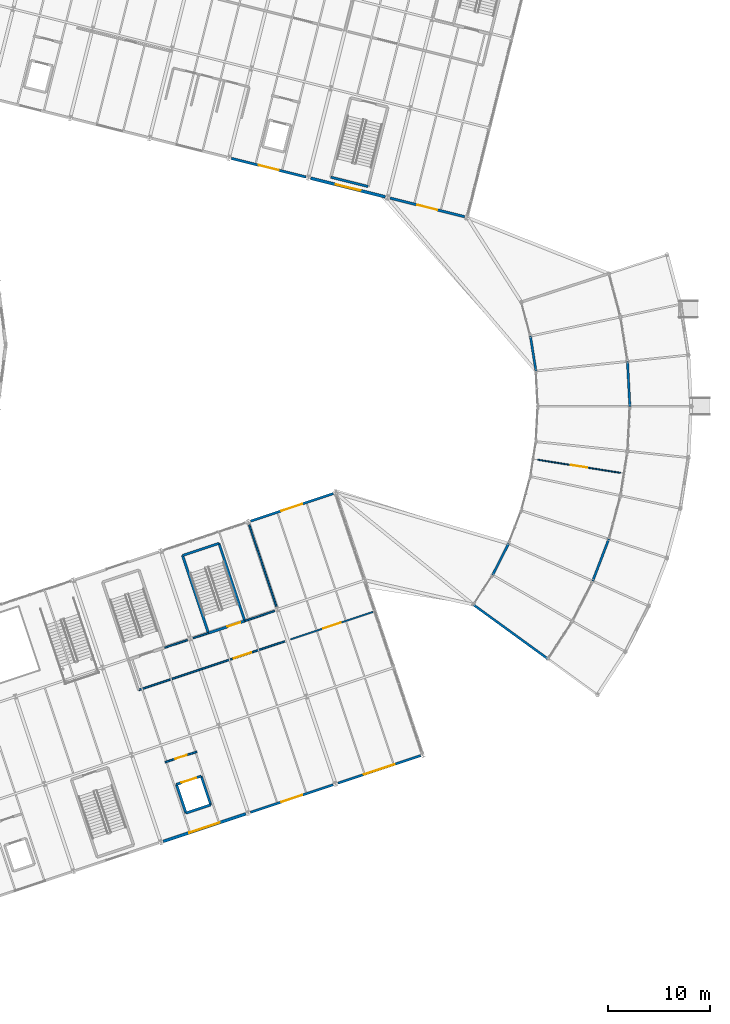
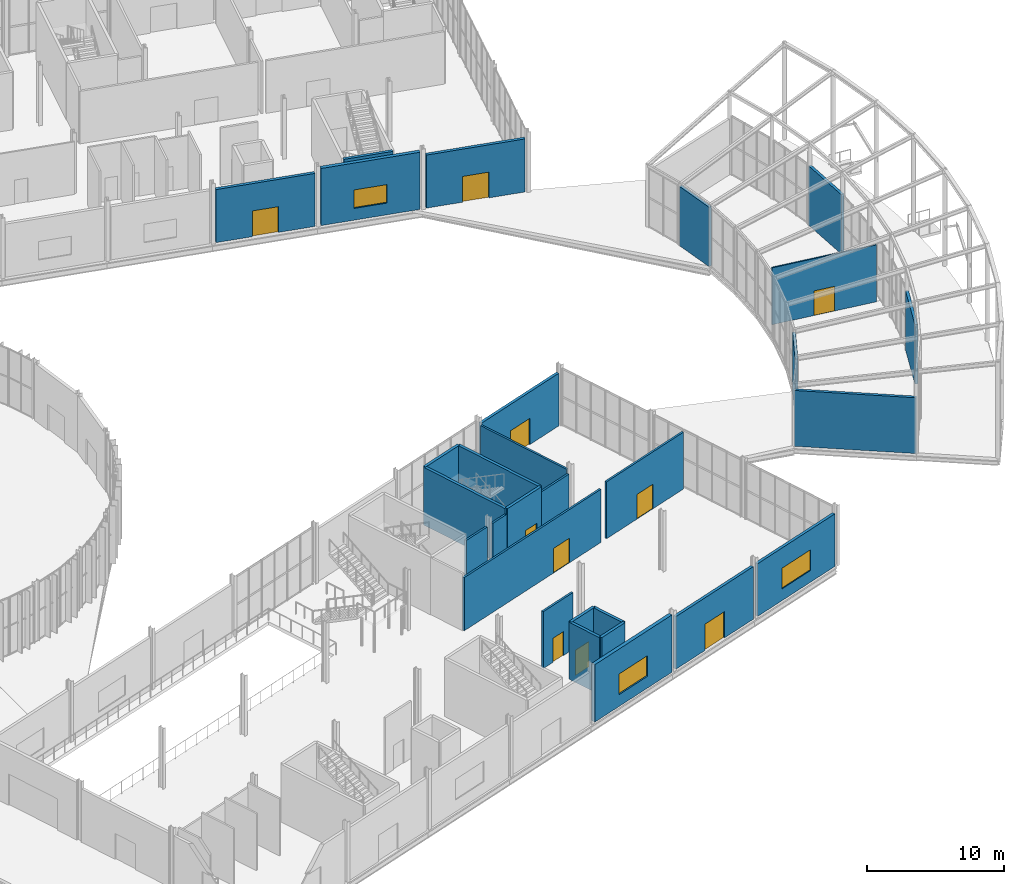
# One storey, part 128 of 158: 29 walls, 10 doors, 3 windows, 13 openings.
"""IFC4 building model written with IfcOpenShell, lengths in metres."""

from ifc_helpers import new_model, si_unit, derived_unit, direction, frame, frame_2d, origin, place, context, subcontext, project, spatial, rectangle, extrude, material, layer, layer_set, type_object, element, fill, save


model = new_model("IFC4")

# Units and contexts
model_context = context("Model", 3, precision=1e-05, world=origin(), true_north=direction((0.0, 1.0)))
body_context = subcontext(model_context, "Body", "Model", "MODEL_VIEW")
ifc_project = project(units=[si_unit("LENGTHUNIT", "METRE"), si_unit("AREAUNIT", "SQUARE_METRE"), si_unit("VOLUMEUNIT", "CUBIC_METRE"), si_unit("PLANEANGLEUNIT", "RADIAN"), si_unit("MASSUNIT", "GRAM", prefix="KILO"), si_unit("THERMODYNAMICTEMPERATUREUNIT", "KELVIN"), si_unit("TIMEUNIT", "SECOND"), derived_unit("THERMALTRANSMITTANCEUNIT", [(si_unit("MASSUNIT", "GRAM", prefix="KILO"), 1), (si_unit("THERMODYNAMICTEMPERATUREUNIT", "KELVIN"), -1), (si_unit("TIMEUNIT", "SECOND"), -3)])], contexts=[model_context])

# Site, building, storey
site_placement = place(None, origin())
site = spatial("IfcSite", under=ifc_project, at=site_placement, CompositionType="ELEMENT")
building_placement = place(site_placement, origin())
building = spatial("IfcBuilding", under=site, at=building_placement, Name="Cambertide Market Hall", CompositionType="ELEMENT")
storey_placement = place(building_placement, origin())
storey = spatial("IfcBuildingStorey", under=building, at=storey_placement, Name="L01", CompositionType="ELEMENT", Elevation=0.0)

# Wall, opening, door
ifc_material_1 = material(Name="Autoclaved Aerated Concrete Blockwork M7.5", Category="masonry")
ifc_layer_1 = layer(ifc_material_1, 0.235107421875, Name="Food Court Acoustic Facade Wall 235")
ifc_layer_set_1 = layer_set([ifc_layer_1], Name="Autoclaved Aerated Concrete Blockwork M7.5")
wall_type_1 = type_object("IfcWallType", Name="Food Court Acoustic Facade Wall 235", PredefinedType="SOLIDWALL", material=ifc_layer_set_1)
wall_1_placement = place(storey_placement, frame((157.001220703125, 29.00048828125, 0.0), z_axis=(0.0, 0.0, 1.0), x_axis=(-0.948680432514, -0.316236362498, 0.0)))
wall_1 = element("IfcWall", 1, at=wall_1_placement, inside=storey, type_object=wall_type_1, Name="Level 1 Exterior Wall EW-L01-V3S-6", PredefinedType="SOLIDWALL", context=body_context, shape_type="SweptSolid", body=[
    extrude(rectangle(XDim=8.52001953125, YDim=0.235107421875, at=frame_2d((4.260009765625, 0.0))), origin(), (0.0, 0.0, 1.0), 4.699951171875),
])
opening_1_placement = place(wall_1_placement, frame((3.18505859375, 0.0, 0.0)))
opening_1 = element("IfcOpeningElement", 2, at=opening_1_placement, cuts=wall_1, Name="Opening ED-05", PredefinedType="OPENING", context=body_context, shape_type="SweptSolid", body=[
    extrude(rectangle(XDim=2.14990234375, YDim=2.35009765625, at=frame_2d((1.074951171875, 1.175048828125))), frame((0.0, 0.12744140625, 0.0), z_axis=(0.0, -1.0, 0.0), x_axis=(1.0, 0.0, 0.0)), (0.0, 0.0, 1.0), 0.255126953125),
])
ifc_material_2 = material(Name="Champagne Marine Anodized Aluminium 6063-T6 AA25", Category="aluminium")
door_type_1 = type_object("IfcDoorType", Name="Hawker Promenade Double Exit Door 2150x2350", OperationType="DOUBLE_DOOR_SINGLE_SWING", PredefinedType="DOOR", material=ifc_material_2)
door_1_placement = place(opening_1_placement, origin())
door_1 = element("IfcDoor", 3, at=door_1_placement, inside=storey, type_object=door_type_1, Name="Level 1 Exterior Door EW-L01-V3S-6-DR", OperationType="DOUBLE_DOOR_SINGLE_SWING", OverallHeight=2.35009765625, OverallWidth=2.14990234375, PredefinedType="DOOR", context=body_context, shape_type="SweptSolid", body=[
    extrude(rectangle(XDim=2.14990234375, YDim=2.35009765625, at=frame_2d((1.074951171875, 1.175048828125))), frame((0.0, 0.02490234375, 0.0), z_axis=(0.0, -1.0, 0.0), x_axis=(1.0, 0.0, 0.0)), (0.0, 0.0, 1.0), 0.050048828125),
])
fill(opening_1, door_1)

wall_2_placement = place(storey_placement, frame((148.91845703125, 54.7666015625, 0.0), z_axis=(0.0, 0.0, 1.0), x_axis=(0.948680432514, 0.316236362498, 0.0)))
wall_2 = element("IfcWall", 4, at=wall_2_placement, inside=storey, type_object=wall_type_1, Name="Level 1 Exterior Wall EW-L01-V3N-7", PredefinedType="SOLIDWALL", context=body_context, shape_type="SweptSolid", body=[
    extrude(rectangle(XDim=8.52001953125, YDim=0.235107421875, at=frame_2d((4.260009765625, 0.0))), origin(), (0.0, 0.0, 1.0), 4.699951171875),
])
opening_2_placement = place(wall_2_placement, frame((3.18505859375, 0.0, 0.0)))
opening_2 = element("IfcOpeningElement", 5, at=opening_2_placement, cuts=wall_2, Name="Opening ED-05", PredefinedType="OPENING", context=body_context, shape_type="SweptSolid", body=[
    extrude(rectangle(XDim=2.14990234375, YDim=2.35009765625, at=frame_2d((1.074951171875, 1.175048828125))), frame((0.0, 0.12744140625, 0.0), z_axis=(0.0, -1.0, 0.0), x_axis=(1.0, 0.0, 0.0)), (0.0, 0.0, 1.0), 0.255126953125),
])
door_2_placement = place(opening_2_placement, origin())
door_2 = element("IfcDoor", 6, at=door_2_placement, inside=storey, type_object=door_type_1, Name="Level 1 Exterior Door EW-L01-V3N-7-DR", OperationType="DOUBLE_DOOR_SINGLE_SWING", OverallHeight=2.35009765625, OverallWidth=2.14990234375, PredefinedType="DOOR", context=body_context, shape_type="SweptSolid", body=[
    extrude(rectangle(XDim=2.14990234375, YDim=2.35009765625, at=frame_2d((1.074951171875, 1.175048828125))), frame((0.0, 0.02490234375, 0.0), z_axis=(0.0, -1.0, 0.0), x_axis=(1.0, 0.0, 0.0)), (0.0, 0.0, 1.0), 0.050048828125),
])
fill(opening_2, door_2)

# Wall, opening, window
wall_3_placement = place(storey_placement, frame((165.539306640625, 31.846435546875, 0.0), z_axis=(0.0, 0.0, 1.0), x_axis=(-0.948680432514, -0.316236362498, 0.0)))
wall_3 = element("IfcWall", 7, at=wall_3_placement, inside=storey, type_object=wall_type_1, Name="Level 1 Exterior Wall EW-L01-V3S-7", PredefinedType="SOLIDWALL", context=body_context, shape_type="SweptSolid", body=[
    extrude(rectangle(XDim=8.52001953125, YDim=0.235107421875, at=frame_2d((4.260009765625, 0.0))), origin(), (0.0, 0.0, 1.0), 4.699951171875),
])
opening_3_placement = place(wall_3_placement, frame((2.68505859375, 0.0, 1.050048828125)))
opening_3 = element("IfcOpeningElement", 8, at=opening_3_placement, cuts=wall_3, Name="Opening WN-04B", PredefinedType="OPENING", context=body_context, shape_type="SweptSolid", body=[
    extrude(rectangle(XDim=3.14990234375, YDim=1.85009765625, at=frame_2d((1.574951171875, 0.925048828125))), frame((0.0, 0.12744140625, 0.0), z_axis=(0.0, -1.0, 0.0), x_axis=(1.0, 0.0, 0.0)), (0.0, 0.0, 1.0), 0.255126953125),
])
ifc_material_3 = material(Name="Low-E Laminated Insulated Glass", Category="glass")
window_type_1 = type_object("IfcWindowType", Name="Riverfront Gallery Window 3150x1850", PartitioningType="SINGLE_PANEL", PredefinedType="WINDOW", material=ifc_material_3)
window_1_placement = place(opening_3_placement, origin())
window_1 = element("IfcWindow", 9, at=window_1_placement, inside=storey, type_object=window_type_1, Name="Level 1 Window EW-L01-V3S-7-WN", OverallHeight=1.85009765625, OverallWidth=3.14990234375, PartitioningType="SINGLE_PANEL", PredefinedType="WINDOW", context=body_context, shape_type="SweptSolid", body=[
    extrude(rectangle(XDim=3.14990234375, YDim=1.85009765625, at=frame_2d((1.574951171875, 0.925048828125))), frame((0.0, 0.030029296875, 0.0), z_axis=(0.0, -1.0, 0.0), x_axis=(1.0, 0.0, 0.0)), (0.0, 0.0, 1.0), 0.06005859375),
])
fill(opening_3, window_1)

# Wall, opening, door
ifc_material_4 = material(Name="Autoclaved Aerated Concrete Blockwork M7.5", Category="masonry")
ifc_layer_2 = layer(ifc_material_4, 0.114990234375, Name="Gallery Display Partition 115")
ifc_layer_set_2 = layer_set([ifc_layer_2], Name="Autoclaved Aerated Concrete Blockwork M7.5")
wall_type_2 = type_object("IfcWallType", Name="Gallery Display Partition 115", PredefinedType="PARTITIONING", material=ifc_layer_set_2)
wall_4_placement = place(storey_placement, frame((176.98876953125, 60.775146484375, 0.0), z_axis=(0.0, 0.0, 1.0), x_axis=(0.987689469561, -0.156427336862, 0.0)))
wall_4 = element("IfcWall", 10, at=wall_4_placement, inside=storey, type_object=wall_type_2, Name="Level 1 Interior Wall IW-L01-V5DIV", PredefinedType="PARTITIONING", context=body_context, shape_type="SweptSolid", body=[
    extrude(rectangle(XDim=8.199951171875, YDim=0.114990234375, at=frame_2d((4.10009765625, 0.0))), origin(), (0.0, 0.0, 1.0), 5.080078125),
])
opening_4_placement = place(wall_4_placement, frame((3.300048828125, 0.0, 0.0)))
opening_4 = element("IfcOpeningElement", 11, at=opening_4_placement, cuts=wall_4, Name="Opening ID-01", PredefinedType="OPENING", context=body_context, shape_type="SweptSolid", body=[
    extrude(rectangle(XDim=1.60009765625, YDim=2.199951171875, at=frame_2d((0.800048828125, 1.10009765625))), frame((0.0, 0.0673828125, 0.0), z_axis=(0.0, -1.0, 0.0), x_axis=(1.0, 0.0, 0.0)), (0.0, 0.0, 1.0), 0.135009765625),
])
ifc_material_5 = material(Name="Champagne Marine Anodized Aluminium 6063-T6 AA25", Category="aluminium")
door_type_2 = type_object("IfcDoorType", Name="Classroom & Hall Double Door 1600x2200", OperationType="DOUBLE_DOOR_SINGLE_SWING", PredefinedType="DOOR", material=ifc_material_5)
door_3_placement = place(opening_4_placement, origin())
door_3 = element("IfcDoor", 12, at=door_3_placement, inside=storey, type_object=door_type_2, Name="Level 1 Door IW-L01-V5DIV-DR1", OperationType="DOUBLE_DOOR_SINGLE_SWING", OverallHeight=2.199951171875, OverallWidth=1.60009765625, PredefinedType="DOOR", context=body_context, shape_type="SweptSolid", body=[
    extrude(rectangle(XDim=1.60009765625, YDim=2.199951171875, at=frame_2d((0.800048828125, 1.10009765625))), frame((0.0, 0.02490234375, 0.0), z_axis=(0.0, -1.0, 0.0), x_axis=(1.0, 0.0, 0.0)), (0.0, 0.0, 1.0), 0.050048828125),
])
fill(opening_4, door_3)

ifc_material_6 = material(Name="Autoclaved Aerated Concrete Blockwork M7.5", Category="masonry")
ifc_layer_3 = layer(ifc_material_6, 0.25, Name="Insulated AAC Exterior Infill Wall 250")
ifc_layer_set_3 = layer_set([ifc_layer_3], Name="Autoclaved Aerated Concrete Blockwork M7.5")
wall_type_3 = type_object("IfcWallType", Name="Insulated AAC Exterior Infill Wall 250", PredefinedType="SOLIDWALL", material=ifc_layer_set_3)
wall_5_placement = place(storey_placement, frame((154.333984375, 88.41650390625, 0.0), z_axis=(0.0, 0.0, 1.0), x_axis=(-0.970138680536, 0.242550902961, 0.0)))
wall_5 = element("IfcWall", 13, at=wall_5_placement, inside=storey, type_object=wall_type_3, Name="Level 1 Exterior Wall EW-L01-V4S-6", PredefinedType="SOLIDWALL", context=body_context, shape_type="SweptSolid", body=[
    extrude(rectangle(XDim=7.52001953125, YDim=0.25, at=frame_2d((3.760009765625, 0.0))), origin(), (0.0, 0.0, 1.0), 4.735107421875),
])
opening_5_placement = place(wall_5_placement, frame((2.760009765625, 0.0, 0.0)))
opening_5 = element("IfcOpeningElement", 14, at=opening_5_placement, cuts=wall_5, Name="Opening ED-01", PredefinedType="OPENING", context=body_context, shape_type="SweptSolid", body=[
    extrude(rectangle(XDim=2.0, YDim=2.300048828125, at=frame_2d((1.0, 1.14990234375))), frame((0.0, 0.135009765625, 0.0), z_axis=(0.0, -1.0, 0.0), x_axis=(1.0, 0.0, 0.0)), (0.0, 0.0, 1.0), 0.27001953125),
])
ifc_material_7 = material(Name="Champagne Marine Anodized Aluminium 6063-T6 AA25", Category="aluminium")
door_type_3 = type_object("IfcDoorType", Name="Final Exit Double Door 2000x2300", OperationType="DOUBLE_DOOR_SINGLE_SWING", PredefinedType="DOOR", material=ifc_material_7)
door_4_placement = place(opening_5_placement, origin())
door_4 = element("IfcDoor", 15, at=door_4_placement, inside=storey, type_object=door_type_3, Name="Level 1 Exterior Door EW-L01-V4S-6-DR", OperationType="DOUBLE_DOOR_SINGLE_SWING", OverallHeight=2.300048828125, OverallWidth=2.0, PredefinedType="DOOR", context=body_context, shape_type="SweptSolid", body=[
    extrude(rectangle(XDim=2.0, YDim=2.300048828125, at=frame_2d((1.0, 1.14990234375))), frame((0.0, 0.02490234375, 0.0), z_axis=(0.0, -1.0, 0.0), x_axis=(1.0, 0.0, 0.0)), (0.0, 0.0, 1.0), 0.050048828125),
])
fill(opening_5, door_4)

wall_6_placement = place(storey_placement, frame((169.856201171875, 84.535888671875, 0.0), z_axis=(0.0, 0.0, 1.0), x_axis=(-0.970138680536, 0.242550902961, 0.0)))
wall_6 = element("IfcWall", 16, at=wall_6_placement, inside=storey, type_object=wall_type_3, Name="Level 1 Exterior Wall EW-L01-V4S-8", PredefinedType="SOLIDWALL", context=body_context, shape_type="SweptSolid", body=[
    extrude(rectangle(XDim=7.52001953125, YDim=0.25, at=frame_2d((3.760009765625, 0.0))), origin(), (0.0, 0.0, 1.0), 4.735107421875),
])
opening_6_placement = place(wall_6_placement, frame((2.760009765625, 0.0, 0.0)))
opening_6 = element("IfcOpeningElement", 17, at=opening_6_placement, cuts=wall_6, Name="Opening ED-01", PredefinedType="OPENING", context=body_context, shape_type="SweptSolid", body=[
    extrude(rectangle(XDim=2.0, YDim=2.300048828125, at=frame_2d((1.0, 1.14990234375))), frame((0.0, 0.135009765625, 0.0), z_axis=(0.0, -1.0, 0.0), x_axis=(1.0, 0.0, 0.0)), (0.0, 0.0, 1.0), 0.27001953125),
])
door_5_placement = place(opening_6_placement, origin())
door_5 = element("IfcDoor", 18, at=door_5_placement, inside=storey, type_object=door_type_3, Name="Level 1 Exterior Door EW-L01-V4S-8-DR", OperationType="DOUBLE_DOOR_SINGLE_SWING", OverallHeight=2.300048828125, OverallWidth=2.0, PredefinedType="DOOR", context=body_context, shape_type="SweptSolid", body=[
    extrude(rectangle(XDim=2.0, YDim=2.300048828125, at=frame_2d((1.0, 1.14990234375))), frame((0.0, 0.02490234375, 0.0), z_axis=(0.0, -1.0, 0.0), x_axis=(1.0, 0.0, 0.0)), (0.0, 0.0, 1.0), 0.050048828125),
])
fill(opening_6, door_5)

ifc_material_8 = material(Name="Autoclaved Aerated Concrete Blockwork M7.5", Category="masonry")
ifc_layer_4 = layer(ifc_material_8, 0.169921875, Name="Lift Lobby Fire Partition 170")
ifc_layer_set_4 = layer_set([ifc_layer_4], Name="Autoclaved Aerated Concrete Blockwork M7.5")
wall_type_4 = type_object("IfcWallType", Name="Lift Lobby Fire Partition 170", PredefinedType="PARTITIONING", material=ifc_layer_set_4)
wall_7_placement = place(storey_placement, frame((140.5732421875, 31.1982421875, 0.0), z_axis=(0.0, 0.0, 1.0), x_axis=(0.948698274856, 0.316182832053, 0.0)))
wall_7 = element("IfcWall", 19, at=wall_7_placement, inside=storey, type_object=wall_type_4, Name="Level 1 Interior Wall LLW-LG-02-L01", PredefinedType="PARTITIONING", context=body_context, shape_type="SweptSolid", body=[
    extrude(rectangle(XDim=3.260009765625, YDim=0.169921875, at=frame_2d((1.6298828125, 0.0))), origin(), (0.0, 0.0, 1.0), 5.080078125),
])
opening_7_placement = place(wall_7_placement, frame((1.054931640625, 0.0, 0.0)))
opening_7 = element("IfcOpeningElement", 20, at=opening_7_placement, cuts=wall_7, Name="Opening KD-02", PredefinedType="OPENING", context=body_context, shape_type="SweptSolid", body=[
    extrude(rectangle(XDim=1.14990234375, YDim=2.14990234375, at=frame_2d((0.574951171875, 1.074951171875))), frame((0.0, 0.094970703125, 0.0), z_axis=(0.0, -1.0, 0.0), x_axis=(1.0, 0.0, 0.0)), (0.0, 0.0, 1.0), 0.18994140625),
])
ifc_material_9 = material(Name="Stainless Steel Grade 316", Category="metal")
door_type_4 = type_object("IfcDoorType", Name="Lift Lobby Smoke-Stop Door 1150x2150", OperationType="NOTDEFINED", PredefinedType="DOOR", material=ifc_material_9)
door_6_placement = place(opening_7_placement, origin())
door_6 = element("IfcDoor", 21, at=door_6_placement, inside=storey, type_object=door_type_4, Name="Level 1 Door LLW-LG-02-L01-DR1", OperationType="SINGLE_SWING_LEFT", OverallHeight=2.14990234375, OverallWidth=1.14990234375, PredefinedType="DOOR", context=body_context, shape_type="SweptSolid", body=[
    extrude(rectangle(XDim=1.14990234375, YDim=2.14990234375, at=frame_2d((0.574951171875, 1.074951171875))), frame((0.0, 0.02490234375, 0.0), z_axis=(0.0, -1.0, 0.0), x_axis=(1.0, 0.0, 0.0)), (0.0, 0.0, 1.0), 0.050048828125),
])
fill(opening_7, door_6)

# Walls
ifc_material_10 = material(Name="Autoclaved Aerated Concrete Blockwork M7.5", Category="masonry")
ifc_layer_5 = layer(ifc_material_10, 0.22509765625, Name="Promenade Pavilion Masonry Wall 225")
ifc_layer_set_5 = layer_set([ifc_layer_5], Name="Autoclaved Aerated Concrete Blockwork M7.5")
wall_type_5 = type_object("IfcWallType", Name="Promenade Pavilion Masonry Wall 225", PredefinedType="SOLIDWALL", material=ifc_layer_set_5)
wall_8_placement = place(storey_placement, frame((172.578857421875, 49.5, 0.0), z_axis=(0.0, 0.0, 1.0), x_axis=(0.453986133197, 0.891008749039, 0.0)))
element("IfcWall", 22, at=wall_8_placement, inside=storey, type_object=wall_type_5, Name="Level 1 Exterior Wall EW-L01-V5I-2", PredefinedType="SOLIDWALL", context=body_context, shape_type="SweptSolid", body=[
    extrude(rectangle(XDim=3.4541015625, YDim=0.22509765625, at=frame_2d((1.72705078125, 0.0))), origin(), (0.0, 0.0, 1.0), 5.300048828125),
])
for number, where, z_axis, x_axis, name in (
    (23, (183.9443359375, 53.021240234375, 0.0), (0.0, 0.0, 1.0), (-0.358361255886, -0.933582995925, 0.0), "Level 1 Exterior Wall EW-L01-V5M-3"),
    (24, (185.77001953125, 70.39013671875, 0.0), (0.0, 0.0, 1.0), (0.052313986548, -0.998630685895, 0.0), "Level 1 Exterior Wall EW-L01-V5M-7"),
):
    element("IfcWall", number, at=place(storey_placement, frame(where, z_axis=z_axis, x_axis=x_axis)), inside=storey, type_object=wall_type_5, Name=name, PredefinedType="SOLIDWALL", context=body_context, shape_type="SweptSolid", body=[
        extrude(rectangle(XDim=4.396240234375, YDim=0.22509765625, at=frame_2d((2.1982421875, 0.0))), origin(), (0.0, 0.0, 1.0), 5.300048828125),
    ])
wall_9_placement = place(storey_placement, frame((176.8193359375, 69.449462890625, 0.0), z_axis=(0.0, 0.0, 1.0), x_axis=(-0.156485200519, 0.987680303549, 0.0)))
element("IfcWall", 25, at=wall_9_placement, inside=storey, type_object=wall_type_5, Name="Level 1 Exterior Wall EW-L01-V5I-8", PredefinedType="SOLIDWALL", context=body_context, shape_type="SweptSolid", body=[
    extrude(rectangle(XDim=3.4541015625, YDim=0.22509765625, at=frame_2d((1.72705078125, 0.0))), origin(), (0.0, 0.0, 1.0), 5.300048828125),
])
wall_10_placement = place(storey_placement, frame((177.978759765625, 41.31298828125, 0.0), z_axis=(0.0, 0.0, 1.0), x_axis=(-0.809022210299, 0.587778073121, 0.0)))
element("IfcWall", 26, at=wall_10_placement, inside=storey, type_object=wall_type_5, Name="Level 1 Exterior Wall EW-L01-V5END-S", PredefinedType="SOLIDWALL", context=body_context, shape_type="SweptSolid", body=[
    extrude(rectangle(XDim=9.0, YDim=0.22509765625, at=frame_2d((4.5, 0.0))), origin(), (0.0, 0.0, 1.0), 4.97998046875),
])

# Wall, opening, door
ifc_material_11 = material(Name="Autoclaved Aerated Concrete Blockwork M7.5", Category="masonry")
ifc_layer_6 = layer(ifc_material_11, 0.1650390625, Name="Protected Exit Passageway Fire Wall 165")
ifc_layer_set_6 = layer_set([ifc_layer_6], Name="Autoclaved Aerated Concrete Blockwork M7.5")
wall_type_6 = type_object("IfcWallType", Name="Protected Exit Passageway Fire Wall 165", PredefinedType="PARTITIONING", material=ifc_layer_set_6)
wall_11_placement = place(storey_placement, frame((137.962646484375, 38.2548828125, 0.0), z_axis=(0.0, 0.0, 1.0), x_axis=(0.948684917535, 0.316222907523, 0.0)))
wall_11 = element("IfcWall", 27, at=wall_11_placement, inside=storey, type_object=wall_type_6, Name="Level 1 Interior Wall EXW-ST05B-S1", PredefinedType="PARTITIONING", context=body_context, shape_type="SweptSolid", body=[
    extrude(rectangle(XDim=15.0751953125, YDim=0.1650390625, at=frame_2d((7.53759765625, 0.0))), origin(), (0.0, 0.0, 1.0), 4.75),
])
opening_8_placement = place(wall_11_placement, frame((9.823486328125, 0.0, 0.0)))
opening_8 = element("IfcOpeningElement", 28, at=opening_8_placement, cuts=wall_11, Name="Opening FD-02", PredefinedType="OPENING", context=body_context, shape_type="SweptSolid", body=[
    extrude(rectangle(XDim=1.800048828125, YDim=2.199951171875, at=frame_2d((0.89990234375, 1.10009765625))), frame((0.0, 0.092529296875, 0.0), z_axis=(0.0, -1.0, 0.0), x_axis=(1.0, 0.0, 0.0)), (0.0, 0.0, 1.0), 0.18505859375),
])
ifc_material_12 = material(Name="Powder-Coated Galvanized Sheet Metal", Category="metal")
door_type_5 = type_object("IfcDoorType", Name="Compartment Double Fire Door 1800x2200", OperationType="DOUBLE_DOOR_SINGLE_SWING", PredefinedType="DOOR", material=ifc_material_12)
door_7_placement = place(opening_8_placement, origin())
door_7 = element("IfcDoor", 29, at=door_7_placement, inside=storey, type_object=door_type_5, Name="Level 1 Door EXW-ST05B-S1-DR1", OperationType="DOUBLE_DOOR_SINGLE_SWING", OverallHeight=2.199951171875, OverallWidth=1.800048828125, PredefinedType="DOOR", context=body_context, shape_type="SweptSolid", body=[
    extrude(rectangle(XDim=1.800048828125, YDim=2.199951171875, at=frame_2d((0.89990234375, 1.10009765625))), frame((0.0, 0.02490234375, 0.0), z_axis=(0.0, -1.0, 0.0), x_axis=(1.0, 0.0, 0.0)), (0.0, 0.0, 1.0), 0.050048828125),
])
fill(opening_8, door_7)

wall_12_placement = place(storey_placement, frame((152.833251953125, 43.211669921875, 0.0), z_axis=(0.0, 0.0, 1.0), x_axis=(0.948683298051, 0.316227766017, 0.0)))
wall_12 = element("IfcWall", 30, at=wall_12_placement, inside=storey, type_object=wall_type_6, Name="Level 1 Interior Wall EXW-ST05B-S2", PredefinedType="PARTITIONING", context=body_context, shape_type="SweptSolid", body=[
    extrude(rectangle(XDim=8.500244140625, YDim=0.1650390625, at=frame_2d((4.25, 0.0))), origin(), (0.0, 0.0, 1.0), 5.080078125),
])
opening_9_placement = place(wall_12_placement, frame((3.35009765625, 0.0, 0.0)))
opening_9 = element("IfcOpeningElement", 31, at=opening_9_placement, cuts=wall_12, Name="Opening FD-02", PredefinedType="OPENING", context=body_context, shape_type="SweptSolid", body=[
    extrude(rectangle(XDim=1.800048828125, YDim=2.199951171875, at=frame_2d((0.89990234375, 1.10009765625))), frame((0.0, 0.092529296875, 0.0), z_axis=(0.0, -1.0, 0.0), x_axis=(1.0, 0.0, 0.0)), (0.0, 0.0, 1.0), 0.18505859375),
])
door_8_placement = place(opening_9_placement, origin())
door_8 = element("IfcDoor", 32, at=door_8_placement, inside=storey, type_object=door_type_5, Name="Level 1 Door EXW-ST05B-S2-DR1", OperationType="DOUBLE_DOOR_SINGLE_SWING", OverallHeight=2.199951171875, OverallWidth=1.800048828125, PredefinedType="DOOR", context=body_context, shape_type="SweptSolid", body=[
    extrude(rectangle(XDim=1.800048828125, YDim=2.199951171875, at=frame_2d((0.89990234375, 1.10009765625))), frame((0.0, 0.02490234375, 0.0), z_axis=(0.0, -1.0, 0.0), x_axis=(1.0, 0.0, 0.0)), (0.0, 0.0, 1.0), 0.050048828125),
])
fill(opening_9, door_8)

# Walls
wall_13_placement = place(storey_placement, frame((140.531982421875, 42.4052734375, 0.0), z_axis=(0.0, 0.0, 1.0), x_axis=(0.948672797552, 0.316259265769, 0.0)))
element("IfcWall", 33, at=wall_13_placement, inside=storey, type_object=wall_type_6, Name="Level 1 Interior Wall EXW-ST05B-N1", PredefinedType="PARTITIONING", context=body_context, shape_type="SweptSolid", body=[
    extrude(rectangle(XDim=2.3251953125, YDim=0.1650390625, at=frame_2d((1.16259765625, 0.0))), origin(), (0.0, 0.0, 1.0), 4.64990234375),
])
wall_14_placement = place(storey_placement, frame((143.306884765625, 43.330322265625, 0.0), z_axis=(0.0, 0.0, 1.0), x_axis=(0.948683298051, 0.316227766017, 0.0)))
element("IfcWall", 34, at=wall_14_placement, inside=storey, type_object=wall_type_6, Name="Level 1 Interior Wall EXW-ST05B-N2", PredefinedType="PARTITIONING", context=body_context, shape_type="SweptSolid", body=[
    extrude(rectangle(XDim=1.574951171875, YDim=0.1650390625, at=frame_2d((0.78759765625, 0.0))), origin(), (0.0, 0.0, 1.0), 4.64990234375),
])
wall_15_placement = place(storey_placement, frame((148.358642578125, 45.01416015625, 0.0), z_axis=(0.0, 0.0, 1.0), x_axis=(0.948683298051, 0.316227766017, 0.0)))
element("IfcWall", 35, at=wall_15_placement, inside=storey, type_object=wall_type_6, Name="Level 1 Interior Wall EXW-ST05B-N3", PredefinedType="PARTITIONING", context=body_context, shape_type="SweptSolid", body=[
    extrude(rectangle(XDim=3.074951171875, YDim=0.1650390625, at=frame_2d((1.53759765625, 0.0))), origin(), (0.0, 0.0, 1.0), 4.64990234375),
])
wall_16_placement = place(storey_placement, frame((151.44189453125, 46.437255859375, 0.0), z_axis=(0.0, 0.0, 1.0), x_axis=(-0.316219046728, 0.948686204436, 0.0)))
element("IfcWall", 36, at=wall_16_placement, inside=storey, type_object=wall_type_6, Name="Level 1 Interior Wall EXW-ST05B-VW", PredefinedType="PARTITIONING", context=body_context, shape_type="SweptSolid", body=[
    extrude(rectangle(XDim=8.400146484375, YDim=0.1650390625, at=frame_2d((4.2001953125, 0.0))), origin(), (0.0, 0.0, 1.0), 4.75),
])

# Wall, opening, door
ifc_material_13 = material(Name="Concrete B35", Category="concrete")
ifc_layer_7 = layer(ifc_material_13, 0.239990234375, Name="Stair & Lift Core Shaft Wall 240")
ifc_layer_set_7 = layer_set([ifc_layer_7], Name="Concrete B35")
wall_type_7 = type_object("IfcWallType", Name="Stair & Lift Core Shaft Wall 240", PredefinedType="SOLIDWALL", material=ifc_layer_set_7)
wall_17_placement = place(storey_placement, frame((148.358642578125, 45.01416015625, 0.0), z_axis=(0.0, 0.0, 1.0), x_axis=(-0.94868980821, -0.316208234867, 0.0)))
wall_17 = element("IfcWall", 37, at=wall_17_placement, inside=storey, type_object=wall_type_7, Name="Level 1 Interior Wall SHW-ST-05B-L01-NEAR", PredefinedType="SOLIDWALL", context=body_context, shape_type="SweptSolid", body=[
    extrude(rectangle(XDim=3.75, YDim=0.239990234375, at=frame_2d((1.875, 0.0))), origin(), (0.0, 0.0, 1.0), 5.14990234375),
])
opening_10_placement = place(wall_17_placement, frame((0.489990234375, 0.0, 0.0)))
opening_10 = element("IfcOpeningElement", 38, at=opening_10_placement, cuts=wall_17, Name="Opening FD-01", PredefinedType="OPENING", context=body_context, shape_type="SweptSolid", body=[
    extrude(rectangle(XDim=1.300048828125, YDim=2.14990234375, at=frame_2d((0.64990234375, 1.074951171875))), frame((0.0, 0.1298828125, 0.0), z_axis=(0.0, -1.0, 0.0), x_axis=(1.0, 0.0, 0.0)), (0.0, 0.0, 1.0), 0.260009765625),
])
ifc_material_14 = material(Name="Powder-Coated Galvanized Sheet Metal", Category="metal")
door_type_6 = type_object("IfcDoorType", Name="Stair Core Fire Door 1300x2150", OperationType="NOTDEFINED", PredefinedType="DOOR", material=ifc_material_14)
door_9_placement = place(opening_10_placement, origin())
door_9 = element("IfcDoor", 39, at=door_9_placement, inside=storey, type_object=door_type_6, Name="Level 1 Door SHW-ST-05B-L01-NEAR-DR1", OperationType="SINGLE_SWING_LEFT", OverallHeight=2.14990234375, OverallWidth=1.300048828125, PredefinedType="DOOR", context=body_context, shape_type="SweptSolid", body=[
    extrude(rectangle(XDim=1.300048828125, YDim=2.14990234375, at=frame_2d((0.64990234375, 1.074951171875))), frame((0.0, 0.02490234375, 0.0), z_axis=(0.0, -1.0, 0.0), x_axis=(1.0, 0.0, 0.0)), (0.0, 0.0, 1.0), 0.050048828125),
])
fill(opening_10, door_9)

# Walls
wall_18_placement = place(storey_placement, frame((145.828857421875, 52.603515625, 0.0), z_axis=(0.0, 0.0, 1.0), x_axis=(0.316227766017, -0.948683298051, 0.0)))
element("IfcWall", 40, at=wall_18_placement, inside=storey, type_object=wall_type_7, Name="Level 1 Interior Wall SHW-ST-05B-L01-L", PredefinedType="SOLIDWALL", context=body_context, shape_type="SweptSolid", body=[
    extrude(rectangle(XDim=8.0, YDim=0.239990234375, at=frame_2d((4.0, 0.0))), origin(), (0.0, 0.0, 1.0), 5.14990234375),
])
wall_19_placement = place(storey_placement, frame((142.271240234375, 51.417724609375, 0.0), z_axis=(0.0, 0.0, 1.0), x_axis=(0.94868980821, 0.316208234867, 0.0)))
element("IfcWall", 41, at=wall_19_placement, inside=storey, type_object=wall_type_7, Name="Level 1 Interior Wall SHW-ST-05B-L01-FAR", PredefinedType="SOLIDWALL", context=body_context, shape_type="SweptSolid", body=[
    extrude(rectangle(XDim=3.75, YDim=0.239990234375, at=frame_2d((1.875, 0.0))), origin(), (0.0, 0.0, 1.0), 5.14990234375),
])
wall_20_placement = place(storey_placement, frame((144.801025390625, 43.828369140625, 0.0), z_axis=(0.0, 0.0, 1.0), x_axis=(-0.316227766017, 0.948683298051, 0.0)))
element("IfcWall", 42, at=wall_20_placement, inside=storey, type_object=wall_type_7, Name="Level 1 Interior Wall SHW-ST-05B-L01-R", PredefinedType="SOLIDWALL", context=body_context, shape_type="SweptSolid", body=[
    extrude(rectangle(XDim=8.0, YDim=0.239990234375, at=frame_2d((4.0, 0.0))), origin(), (0.0, 0.0, 1.0), 5.14990234375),
])
wall_21_placement = place(storey_placement, frame((160.406005859375, 87.4912109375, 0.0), z_axis=(0.0, 0.0, 1.0), x_axis=(-0.970150158722, 0.242504988675, 0.0)))
element("IfcWall", 43, at=wall_21_placement, inside=storey, type_object=wall_type_7, Name="Level 1 Interior Wall SHW-ST-08A-L01-FAR", PredefinedType="SOLIDWALL", context=body_context, shape_type="SweptSolid", body=[
    extrude(rectangle(XDim=3.750244140625, YDim=0.239990234375, at=frame_2d((1.875, 0.0))), origin(), (0.0, 0.0, 1.0), 5.135009765625),
])
wall_22_placement = place(storey_placement, frame((145.02880859375, 27.033447265625, 0.0), z_axis=(0.0, 0.0, 1.0), x_axis=(-0.948683298051, -0.316227766017, 0.0)))
element("IfcWall", 44, at=wall_22_placement, inside=storey, type_object=wall_type_7, Name="Level 1 Interior Wall LSH-LG-02-L01-S", PredefinedType="SOLIDWALL", context=body_context, shape_type="SweptSolid", body=[
    extrude(rectangle(XDim=2.56005859375, YDim=0.239990234375, at=frame_2d((1.280029296875, 0.0))), origin(), (0.0, 0.0, 1.0), 5.080078125),
])

# Wall, opening, door
wall_23_placement = place(storey_placement, frame((141.664306640625, 29.031982421875, 0.0), z_axis=(0.0, 0.0, 1.0), x_axis=(0.948673760334, 0.316256377729, 0.0)))
wall_23 = element("IfcWall", 45, at=wall_23_placement, inside=storey, type_object=wall_type_7, Name="Level 1 Interior Wall LSH-LG-02-L01-N", PredefinedType="SOLIDWALL", context=body_context, shape_type="SweptSolid", body=[
    extrude(rectangle(XDim=2.559814453125, YDim=0.239990234375, at=frame_2d((1.27978515625, 0.0))), origin(), (0.0, 0.0, 1.0), 5.080078125),
])
opening_11_placement = place(wall_23_placement, frame((0.530029296875, 0.0, 0.0)))
opening_11 = element("IfcOpeningElement", 46, at=opening_11_placement, cuts=wall_23, Name="Opening LD-02", PredefinedType="OPENING", context=body_context, shape_type="SweptSolid", body=[
    extrude(rectangle(XDim=1.5, YDim=2.25, at=frame_2d((0.75, 1.125))), frame((0.0, 0.1298828125, 0.0), z_axis=(0.0, -1.0, 0.0), x_axis=(1.0, 0.0, 0.0)), (0.0, 0.0, 1.0), 0.260009765625),
])
ifc_material_15 = material(Name="Stainless Steel Grade 316", Category="metal")
door_type_7 = type_object("IfcDoorType", Name="Goods Lift Sliding Landing Door 1500x2250", OperationType="DOUBLE_DOOR_SLIDING", PredefinedType="DOOR", material=ifc_material_15)
door_10_placement = place(opening_11_placement, origin())
door_10 = element("IfcDoor", 47, at=door_10_placement, inside=storey, type_object=door_type_7, Name="Level 1 Door LSH-LG-02-L01-N-DR1", OperationType="DOUBLE_DOOR_SLIDING", OverallHeight=2.25, OverallWidth=1.5, PredefinedType="DOOR", context=body_context, shape_type="SweptSolid", body=[
    extrude(rectangle(XDim=1.5, YDim=2.25, at=frame_2d((0.75, 1.125))), frame((0.0, 0.02490234375, 0.0), z_axis=(0.0, -1.0, 0.0), x_axis=(1.0, 0.0, 0.0)), (0.0, 0.0, 1.0), 0.050048828125),
])
fill(opening_11, door_10)

# Walls
for number, where, z_axis, x_axis, name in (
    (48, (142.60009765625, 26.223876953125, 0.0), (0.0, 0.0, 1.0), (-0.316153531243, 0.948708039748, 0.0), "Level 1 Interior Wall LSH-LG-02-L01-W"),
    (49, (144.0927734375, 29.841552734375, 0.0), (0.0, 0.0, 1.0), (0.316227766017, -0.948683298051, 0.0), "Level 1 Interior Wall LSH-LG-02-L01-E"),
):
    element("IfcWall", number, at=place(storey_placement, frame(where, z_axis=z_axis, x_axis=x_axis)), inside=storey, type_object=wall_type_7, Name=name, PredefinedType="SOLIDWALL", context=body_context, shape_type="SweptSolid", body=[
        extrude(rectangle(XDim=2.9599609375, YDim=0.239990234375, at=frame_2d((1.47998046875, 0.0))), origin(), (0.0, 0.0, 1.0), 5.080078125),
    ])

# Wall, opening, window
ifc_material_16 = material(Name="Concrete B35", Category="concrete")
ifc_layer_8 = layer(ifc_material_16, 0.300048828125, Name="Structural Facade Shear Wall 300")
ifc_layer_set_8 = layer_set([ifc_layer_8], Name="Concrete B35")
wall_type_8 = type_object("IfcWallType", Name="Structural Facade Shear Wall 300", PredefinedType="SHEAR", material=ifc_layer_set_8)
wall_24_placement = place(storey_placement, frame((148.463134765625, 26.154296875, 0.0), z_axis=(0.0, 0.0, 1.0), x_axis=(-0.948689028943, -0.316210572821, 0.0)))
wall_24 = element("IfcWall", 50, at=wall_24_placement, inside=storey, type_object=wall_type_8, Name="Level 1 Exterior Wall EW-L01-V3S-5", PredefinedType="SHEAR", context=body_context, shape_type="SweptSolid", body=[
    extrude(rectangle(XDim=8.52001953125, YDim=0.300048828125, at=frame_2d((4.260009765625, 0.0))), origin(), (0.0, 0.0, 1.0), 5.1201171875),
])
opening_12_placement = place(wall_24_placement, frame((2.68505859375, 0.0, 1.050048828125)))
opening_12 = element("IfcOpeningElement", 51, at=opening_12_placement, cuts=wall_24, Name="Opening WN-04B", PredefinedType="OPENING", context=body_context, shape_type="SweptSolid", body=[
    extrude(rectangle(XDim=3.14990234375, YDim=1.85009765625, at=frame_2d((1.574951171875, 0.925048828125))), frame((0.0, 0.159912109375, 0.0), z_axis=(0.0, -1.0, 0.0), x_axis=(1.0, 0.0, 0.0)), (0.0, 0.0, 1.0), 0.320068359375),
])
window_2_placement = place(opening_12_placement, origin())
window_2 = element("IfcWindow", 52, at=window_2_placement, inside=storey, type_object=window_type_1, Name="Level 1 Window EW-L01-V3S-5-WN", OverallHeight=1.85009765625, OverallWidth=3.14990234375, PartitioningType="SINGLE_PANEL", PredefinedType="WINDOW", context=body_context, shape_type="SweptSolid", body=[
    extrude(rectangle(XDim=3.14990234375, YDim=1.85009765625, at=frame_2d((1.574951171875, 0.925048828125))), frame((0.0, 0.030029296875, 0.0), z_axis=(0.0, -1.0, 0.0), x_axis=(1.0, 0.0, 0.0)), (0.0, 0.0, 1.0), 0.06005859375),
])
fill(opening_12, window_2)

wall_25_placement = place(storey_placement, frame((162.09521484375, 86.476318359375, 0.0), z_axis=(0.0, 0.0, 1.0), x_axis=(-0.970148228972, 0.242512708578, 0.0)))
wall_25 = element("IfcWall", 53, at=wall_25_placement, inside=storey, type_object=wall_type_8, Name="Level 1 Exterior Wall EW-L01-V4S-7", PredefinedType="SHEAR", context=body_context, shape_type="SweptSolid", body=[
    extrude(rectangle(XDim=7.520263671875, YDim=0.300048828125, at=frame_2d((3.76025390625, 0.0))), origin(), (0.0, 0.0, 1.0), 5.10009765625),
])
opening_13_placement = place(wall_25_placement, frame((2.510009765625, 0.0, 1.050048828125)))
opening_13 = element("IfcOpeningElement", 54, at=opening_13_placement, cuts=wall_25, Name="Opening WN-09", PredefinedType="OPENING", context=body_context, shape_type="SweptSolid", body=[
    extrude(rectangle(XDim=2.5, YDim=1.64990234375, at=frame_2d((1.25, 0.824951171875))), frame((0.0, 0.159912109375, 0.0), z_axis=(0.0, -1.0, 0.0), x_axis=(1.0, 0.0, 0.0)), (0.0, 0.0, 1.0), 0.320068359375),
])
ifc_material_17 = material(Name="Low-E Laminated Insulated Glass", Category="glass")
window_type_2 = type_object("IfcWindowType", Name="Market Admin Office Window 2500x1650", PartitioningType="SINGLE_PANEL", PredefinedType="WINDOW", material=ifc_material_17)
window_3_placement = place(opening_13_placement, origin())
window_3 = element("IfcWindow", 55, at=window_3_placement, inside=storey, type_object=window_type_2, Name="Level 1 Window EW-L01-V4S-7-WN", OverallHeight=1.64990234375, OverallWidth=2.5, PartitioningType="SINGLE_PANEL", PredefinedType="WINDOW", context=body_context, shape_type="SweptSolid", body=[
    extrude(rectangle(XDim=2.5, YDim=1.64990234375, at=frame_2d((1.25, 0.824951171875))), frame((0.0, 0.030029296875, 0.0), z_axis=(0.0, -1.0, 0.0), x_axis=(1.0, 0.0, 0.0)), (0.0, 0.0, 1.0), 0.06005859375),
])
fill(opening_13, window_3)

save(model, "model.ifc")
